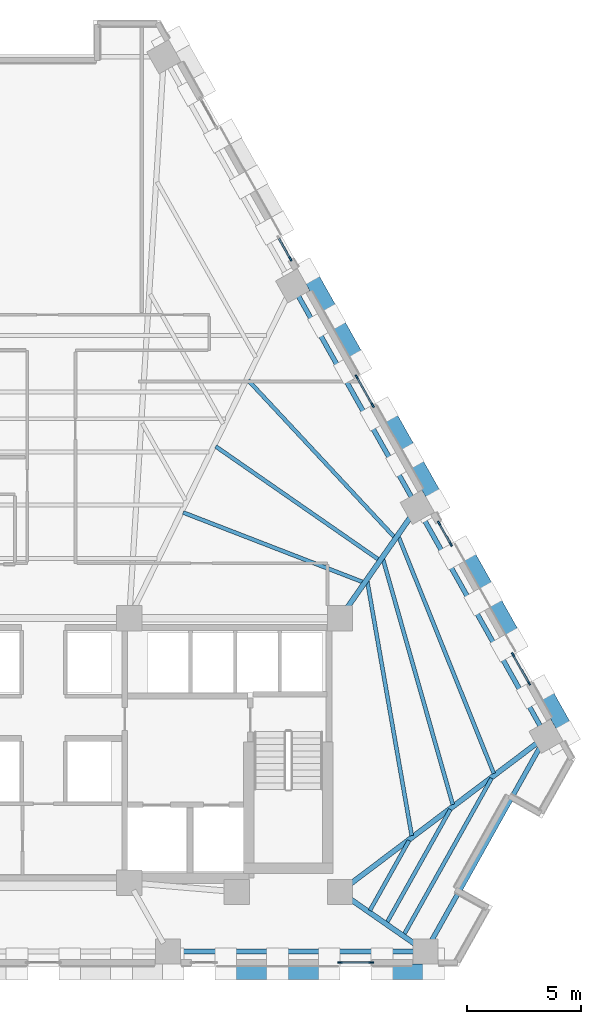
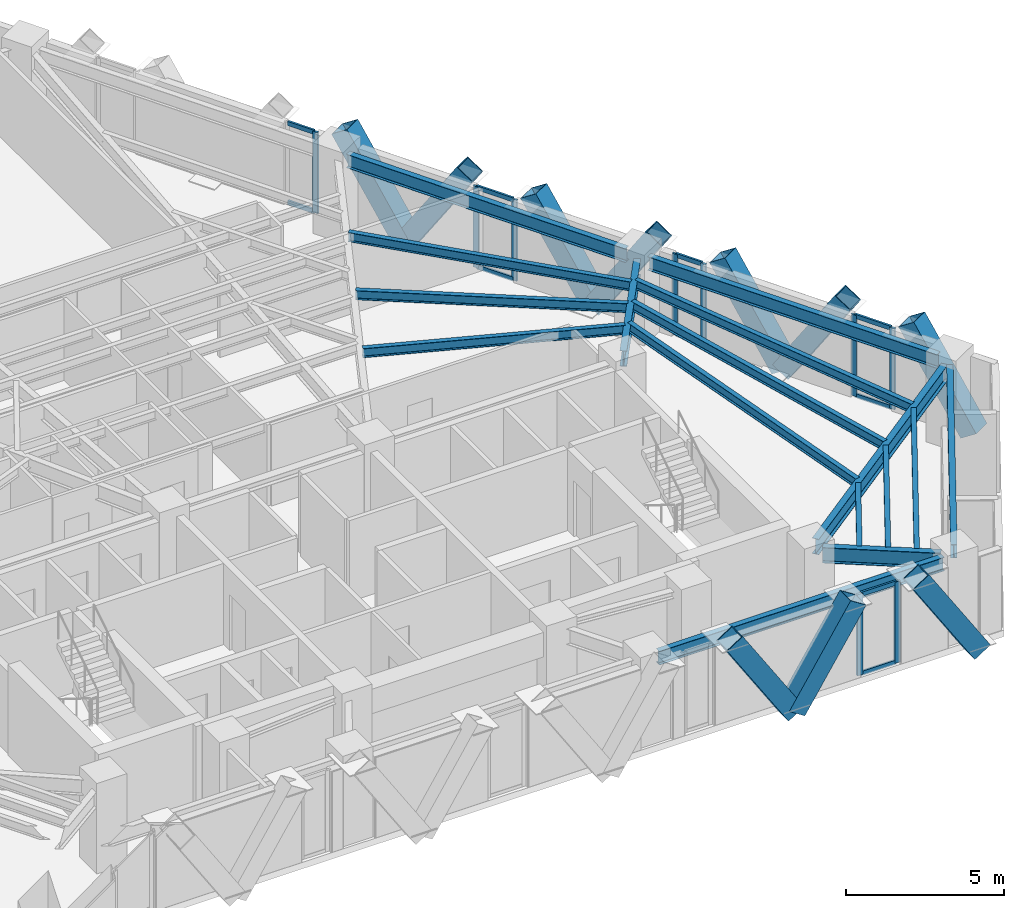
# One storey, part 4 of 13: 29 members, 16 beams, 5 elements without a shape of their own.
"""IFC4 building model written with IfcOpenShell, lengths in metres."""

from ifc_helpers import new_model, si_unit, direction, frame, origin, origin_2d, place, context, subcontext, project, spatial, rectangle, hollow_rectangle, i_section, extrude, material, material_profile, profile_set, type_object, element, aggregate, save


model = new_model("IFC4")

# Units and contexts
model_context = context("Model", 3, precision=1e-05, world=origin(), true_north=direction((0.0, 1.0)))
body_context = subcontext(model_context, "Body", "Model", "MODEL_VIEW")
ifc_project = project(units=[si_unit("LENGTHUNIT", "METRE"), si_unit("AREAUNIT", "SQUARE_METRE"), si_unit("VOLUMEUNIT", "CUBIC_METRE"), si_unit("PLANEANGLEUNIT", "RADIAN"), si_unit("MASSUNIT", "GRAM", prefix="KILO")], contexts=[model_context])

# Site, building, storey
site_placement = place(None, origin())
site = spatial("IfcSite", under=ifc_project, at=site_placement, CompositionType="ELEMENT")
building_placement = place(site_placement, origin())
building = spatial("IfcBuilding", under=site, at=building_placement, Name="Quenlor Broadcast Tower", CompositionType="ELEMENT")
storey_placement = place(building_placement, frame((0.0, 0.0, 87.10009765625)))
storey = spatial("IfcBuildingStorey", under=building, at=storey_placement, Name="L23", CompositionType="ELEMENT", Elevation=87.10009765625)

# Curtain wall, members
ifc_material_1 = material(Name="Architectural Terracotta and Low-E Glazing", Category="masonry")
curtain_wall_type = type_object("IfcCurtainWallType", Name="Unitised Terracotta Curtain Wall System Z2", PredefinedType="NOTDEFINED", material=ifc_material_1)
curtain_wall_1_placement = place(storey_placement, origin())
curtain_wall_1 = element("IfcCurtainWall", 1, at=curtain_wall_1_placement, inside=storey, type_object=curtain_wall_type, Name="L23 Curtain Wall CW2 (L23-SA-G1)", PredefinedType="NOTDEFINED")
ifc_material_2 = material(Name="Aluminium 6063-T6", Category="aluminium")
ifc_material_profile_1 = material_profile(ifc_material_2, rectangle(XDim=0.074951171875, YDim=0.199951171875, at=origin_2d()))
ifc_profile_set_1 = profile_set([ifc_material_profile_1], Name="Aluminium 6063-T6 MULL75x200")
member_type_1 = type_object("IfcMemberType", Name="CW2 Aluminium Mullion MULL_CW2", PredefinedType="MULLION", material=ifc_profile_set_1)
member_1_placement = place(storey_placement, frame((14.3193359375, -19.840087890625, 0.0), z_axis=(0.0, 0.0, 1.0), x_axis=(0.0, -1.0, 0.0)))
member_1 = element("IfcMember", 2, at=member_1_placement, type_object=member_type_1, Name="CW2 mullion 1", PredefinedType="MULLION", context=body_context, shape_type="SweptSolid", body=[
    extrude(rectangle(XDim=0.074951171875, YDim=0.199951171875, at=origin_2d()), origin(), (0.0, 0.0, 1.0), 3.139892578125),
])
member_2_placement = place(storey_placement, frame((12.950927734375, -19.840087890625, 0.0), z_axis=(0.0, 0.0, 1.0), x_axis=(0.0, -1.0, 0.0)))
member_2 = element("IfcMember", 3, at=member_2_placement, type_object=member_type_1, Name="CW2 mullion 2", PredefinedType="MULLION", context=body_context, shape_type="SweptSolid", body=[
    extrude(rectangle(XDim=0.074951171875, YDim=0.199951171875, at=origin_2d()), origin(), (0.0, 0.0, 1.0), 3.139892578125),
])

# Curtain wall, member
curtain_wall_2_placement = place(storey_placement, origin())
curtain_wall_2 = element("IfcCurtainWall", 4, at=curtain_wall_2_placement, inside=storey, type_object=curtain_wall_type, Name="L23 Curtain Wall CW2 (L23-NEA-G2)", PredefinedType="NOTDEFINED")
member_3_placement = place(storey_placement, frame((10.7880859375, 10.894775390625, 0.0), z_axis=(0.0, 0.0, 1.0), x_axis=(0.8715826837, 0.490248534392, 0.0)))
member_3 = element("IfcMember", 5, at=member_3_placement, type_object=member_type_1, Name="CW2 mullion 2", PredefinedType="MULLION", context=body_context, shape_type="SweptSolid", body=[
    extrude(rectangle(XDim=0.074951171875, YDim=0.199951171875, at=origin_2d()), origin(), (0.0, 0.0, 1.0), 3.139892578125),
])

# Curtain wall, members
curtain_wall_3_placement = place(storey_placement, origin())
curtain_wall_3 = element("IfcCurtainWall", 6, at=curtain_wall_3_placement, inside=storey, type_object=curtain_wall_type, Name="L23 Curtain Wall CW2 (L23-NEC-G1)", PredefinedType="NOTDEFINED")
member_4_placement = place(storey_placement, frame((17.282958984375, -0.651611328125, 0.0), z_axis=(0.0, 0.0, 1.0), x_axis=(0.8715826837, 0.490248534392, 0.0)))
member_4 = element("IfcMember", 7, at=member_4_placement, type_object=member_type_1, Name="CW2 mullion 1", PredefinedType="MULLION", context=body_context, shape_type="SweptSolid", body=[
    extrude(rectangle(XDim=0.074951171875, YDim=0.199951171875, at=origin_2d()), origin(), (0.0, 0.0, 1.0), 3.139892578125),
])
member_5_placement = place(storey_placement, frame((17.795654296875, -1.563232421875, 0.0), z_axis=(0.0, 0.0, 1.0), x_axis=(0.8715826837, 0.490248534392, 0.0)))
member_5 = element("IfcMember", 8, at=member_5_placement, type_object=member_type_1, Name="CW2 mullion 2", PredefinedType="MULLION", context=body_context, shape_type="SweptSolid", body=[
    extrude(rectangle(XDim=0.074951171875, YDim=0.199951171875, at=origin_2d()), origin(), (0.0, 0.0, 1.0), 3.139892578125),
])

curtain_wall_4_placement = place(storey_placement, origin())
curtain_wall_4 = element("IfcCurtainWall", 9, at=curtain_wall_4_placement, inside=storey, type_object=curtain_wall_type, Name="L23 Curtain Wall CW2 (L23-NEC-G2)", PredefinedType="NOTDEFINED")
member_6_placement = place(storey_placement, frame((20.514404296875, -6.396484375, 0.0), z_axis=(0.0, 0.0, 1.0), x_axis=(0.871586281699, 0.490242137678, 0.0)))
member_6 = element("IfcMember", 10, at=member_6_placement, type_object=member_type_1, Name="CW2 mullion 1", PredefinedType="MULLION", context=body_context, shape_type="SweptSolid", body=[
    extrude(rectangle(XDim=0.074951171875, YDim=0.199951171875, at=origin_2d()), origin(), (0.0, 0.0, 1.0), 3.139892578125),
])
member_7_placement = place(storey_placement, frame((21.208740234375, -7.631103515625, 0.0), z_axis=(0.0, 0.0, 1.0), x_axis=(0.871586281699, 0.490242137678, 0.0)))
member_7 = element("IfcMember", 11, at=member_7_placement, type_object=member_type_1, Name="CW2 mullion 2", PredefinedType="MULLION", context=body_context, shape_type="SweptSolid", body=[
    extrude(rectangle(XDim=0.074951171875, YDim=0.199951171875, at=origin_2d()), origin(), (0.0, 0.0, 1.0), 3.139892578125),
])

curtain_wall_5_placement = place(storey_placement, origin())
curtain_wall_5 = element("IfcCurtainWall", 12, at=curtain_wall_5_placement, inside=storey, type_object=curtain_wall_type, Name="L23 Curtain Wall CW2 (L23-NE-G1)", PredefinedType="NOTDEFINED")
member_8_placement = place(storey_placement, frame((13.688232421875, 5.73876953125, 0.0), z_axis=(0.0, 0.0, 1.0), x_axis=(0.871557629154, 0.490293074665, 0.0)))
member_8 = element("IfcMember", 13, at=member_8_placement, type_object=member_type_1, Name="CW2 mullion 1", PredefinedType="MULLION", context=body_context, shape_type="SweptSolid", body=[
    extrude(rectangle(XDim=0.074951171875, YDim=0.199951171875, at=origin_2d()), origin(), (0.0, 0.0, 1.0), 3.139892578125),
])
member_9_placement = place(storey_placement, frame((14.3828125, 4.50439453125, 0.0), z_axis=(0.0, 0.0, 1.0), x_axis=(0.871557629154, 0.490293074665, 0.0)))
member_9 = element("IfcMember", 14, at=member_9_placement, type_object=member_type_1, Name="CW2 mullion 2", PredefinedType="MULLION", context=body_context, shape_type="SweptSolid", body=[
    extrude(rectangle(XDim=0.074951171875, YDim=0.199951171875, at=origin_2d()), origin(), (0.0, 0.0, 1.0), 3.139892578125),
])

# Member
ifc_material_3 = material(Name="Aluminium 6063-T6", Category="aluminium")
ifc_material_profile_2 = material_profile(ifc_material_3, rectangle(XDim=0.074951171875, YDim=0.1650390625, at=origin_2d()))
ifc_profile_set_2 = profile_set([ifc_material_profile_2], Name="Aluminium 6063-T6 TRAN75x165")
member_type_2 = type_object("IfcMemberType", Name="CW2 Aluminium Transom TRAN_CW2", PredefinedType="USERDEFINED", material=ifc_profile_set_2)
member_10_placement = place(storey_placement, frame((14.281982421875, -19.840087890625, 0.037353515625), z_axis=(-1.0, 0.0, 0.0), x_axis=(0.0, -1.0, 0.0)))
member_10 = element("IfcMember", 15, at=member_10_placement, type_object=member_type_2, Name="CW2 transom 1.1", ObjectType="TRANSOM", PredefinedType="USERDEFINED", context=body_context, shape_type="SweptSolid", body=[
    extrude(rectangle(XDim=0.074951171875, YDim=0.1650390625, at=origin_2d()), origin(), (0.0, 0.0, 1.0), 1.29345703125),
])

member_11_placement = place(storey_placement, frame((14.281982421875, -19.840087890625, 3.102294921875), z_axis=(-1.0, 0.0, 0.0), x_axis=(0.0, -1.0, 0.0)))
member_11 = element("IfcMember", 16, at=member_11_placement, type_object=member_type_2, Name="CW2 transom 1.2", ObjectType="TRANSOM", PredefinedType="USERDEFINED", context=body_context, shape_type="SweptSolid", body=[
    extrude(rectangle(XDim=0.074951171875, YDim=0.1650390625, at=origin_2d()), origin(), (0.0, 0.0, 1.0), 1.29345703125),
])

aggregate(curtain_wall_1, [member_1, member_2, member_10, member_11])

member_12_placement = place(storey_placement, frame((10.293701171875, 11.77392578125, 0.037353515625), z_axis=(0.490225431837, -0.871595678041, 0.0), x_axis=(0.871595678041, 0.490225431837, 0.0)))
member_12 = element("IfcMember", 17, at=member_12_placement, type_object=member_type_2, Name="CW2 transom 1.1", ObjectType="TRANSOM", PredefinedType="USERDEFINED", context=body_context, shape_type="SweptSolid", body=[
    extrude(rectangle(XDim=0.074951171875, YDim=0.1650390625, at=origin_2d()), origin(), (0.0, 0.0, 1.0), 0.97119140625),
])

member_13_placement = place(storey_placement, frame((10.293701171875, 11.77392578125, 3.102294921875), z_axis=(0.490225431837, -0.871595678041, 0.0), x_axis=(0.871595678041, 0.490225431837, 0.0)))
member_13 = element("IfcMember", 18, at=member_13_placement, type_object=member_type_2, Name="CW2 transom 1.2", ObjectType="TRANSOM", PredefinedType="USERDEFINED", context=body_context, shape_type="SweptSolid", body=[
    extrude(rectangle(XDim=0.074951171875, YDim=0.1650390625, at=origin_2d()), origin(), (0.0, 0.0, 1.0), 0.97119140625),
])

aggregate(curtain_wall_2, [member_3, member_12, member_13])

member_14_placement = place(storey_placement, frame((17.30126953125, -0.684326171875, 0.037353515625), z_axis=(0.490332868435, -0.871535242049, 0.0), x_axis=(0.871535242049, 0.490332868435, 0.0)))
member_14 = element("IfcMember", 19, at=member_14_placement, type_object=member_type_2, Name="CW2 transom 1.1", ObjectType="TRANSOM", PredefinedType="USERDEFINED", context=body_context, shape_type="SweptSolid", body=[
    extrude(rectangle(XDim=0.074951171875, YDim=0.1650390625, at=origin_2d()), origin(), (0.0, 0.0, 1.0), 0.970947265625),
])

member_15_placement = place(storey_placement, frame((17.30126953125, -0.684326171875, 3.102294921875), z_axis=(0.490332868435, -0.871535242049, 0.0), x_axis=(0.871535242049, 0.490332868435, 0.0)))
member_15 = element("IfcMember", 20, at=member_15_placement, type_object=member_type_2, Name="CW2 transom 1.2", ObjectType="TRANSOM", PredefinedType="USERDEFINED", context=body_context, shape_type="SweptSolid", body=[
    extrude(rectangle(XDim=0.074951171875, YDim=0.1650390625, at=origin_2d()), origin(), (0.0, 0.0, 1.0), 0.970947265625),
])

aggregate(curtain_wall_3, [member_4, member_5, member_14, member_15])

member_16_placement = place(storey_placement, frame((20.532958984375, -6.42919921875, 0.037353515625), z_axis=(0.490148897968, -0.871638719781, 0.0), x_axis=(0.871638719781, 0.490148897968, 0.0)))
member_16 = element("IfcMember", 21, at=member_16_placement, type_object=member_type_2, Name="CW2 transom 1.1", ObjectType="TRANSOM", PredefinedType="USERDEFINED", context=body_context, shape_type="SweptSolid", body=[
    extrude(rectangle(XDim=0.074951171875, YDim=0.1650390625, at=origin_2d()), origin(), (0.0, 0.0, 1.0), 1.34130859375),
])

member_17_placement = place(storey_placement, frame((20.532958984375, -6.42919921875, 3.102294921875), z_axis=(0.490148897968, -0.871638719781, 0.0), x_axis=(0.871638719781, 0.490148897968, 0.0)))
member_17 = element("IfcMember", 22, at=member_17_placement, type_object=member_type_2, Name="CW2 transom 1.2", ObjectType="TRANSOM", PredefinedType="USERDEFINED", context=body_context, shape_type="SweptSolid", body=[
    extrude(rectangle(XDim=0.074951171875, YDim=0.1650390625, at=origin_2d()), origin(), (0.0, 0.0, 1.0), 1.34130859375),
])

aggregate(curtain_wall_4, [member_6, member_7, member_16, member_17])

member_18_placement = place(storey_placement, frame((13.706787109375, 5.7060546875, 0.037353515625), z_axis=(0.49022666835, -0.871594982569, 0.0), x_axis=(0.871594982569, 0.49022666835, 0.0)))
member_18 = element("IfcMember", 23, at=member_18_placement, type_object=member_type_2, Name="CW2 transom 1.1", ObjectType="TRANSOM", PredefinedType="USERDEFINED", context=body_context, shape_type="SweptSolid", body=[
    extrude(rectangle(XDim=0.074951171875, YDim=0.1650390625, at=origin_2d()), origin(), (0.0, 0.0, 1.0), 1.341064453125),
])

member_19_placement = place(storey_placement, frame((13.706787109375, 5.7060546875, 3.102294921875), z_axis=(0.49022666835, -0.871594982569, 0.0), x_axis=(0.871594982569, 0.49022666835, 0.0)))
member_19 = element("IfcMember", 24, at=member_19_placement, type_object=member_type_2, Name="CW2 transom 1.2", ObjectType="TRANSOM", PredefinedType="USERDEFINED", context=body_context, shape_type="SweptSolid", body=[
    extrude(rectangle(XDim=0.074951171875, YDim=0.1650390625, at=origin_2d()), origin(), (0.0, 0.0, 1.0), 1.341064453125),
])

aggregate(curtain_wall_5, [member_8, member_9, member_18, member_19])

# Members
ifc_material_4 = material(Name="Steel S355", Category="steel")
ifc_material_profile_3 = material_profile(ifc_material_4, hollow_rectangle(XDim=0.679931640625, YDim=0.679931640625, WallThickness=0.030029296875, at=origin_2d()))
ifc_profile_set_3 = profile_set([ifc_material_profile_3], Name="Steel S355 RHS680x680x30")
member_type_3 = type_object("IfcMemberType", Name="Perimeter Diagonal Lattice Brace Z2 Steel S355 RHS680x30", PredefinedType="BRACE", material=ifc_profile_set_3)
for number, where, z_axis, x_axis, name in (
    (25, (17.030517578125, -20.235107421875, -0.1201171875), (-0.539968035679, 0.0, 0.841685523485), (0.0, -1.0, 0.0), "L23 Perimeter Diamond Lattice S-C1S"),
    (26, (10.239990234375, -20.235107421875, -0.1201171875), (0.539968035679, 0.0, 0.841685523485), (0.0, 1.0, 0.0), "L23 Perimeter Diamond Lattice S-C1B"),
    (27, (10.212890625, -20.235107421875, -0.1201171875), (-0.539968035679, 0.0, 0.841685523485), (0.0, -1.0, 0.0), "L23 Perimeter Diamond Lattice S-C2S"),
):
    element("IfcMember", number, at=place(storey_placement, frame(where, z_axis=z_axis, x_axis=x_axis)), inside=storey, type_object=member_type_3, Name=name, PredefinedType="BRACE", context=body_context, shape_type="SweptSolid", body=[
        extrude(hollow_rectangle(XDim=0.679931640625, YDim=0.679931640625, WallThickness=0.030029296875, at=origin_2d()), origin(), (0.0, 0.0, 1.0), 4.158203125),
    ])
member_20_placement = place(storey_placement, frame((12.66650390625, 8.361083984375, -0.1201171875), z_axis=(-0.268634887212, 0.477637964099, 0.83647909276), x_axis=(-0.871603971106, -0.490210686901, 0.0)))
element("IfcMember", 28, at=member_20_placement, inside=storey, type_object=member_type_3, Name="L23 Perimeter Diamond Lattice NE-C2B", PredefinedType="BRACE", context=body_context, shape_type="SweptSolid", body=[
    extrude(hollow_rectangle(XDim=0.679931640625, YDim=0.679931640625, WallThickness=0.030029296875, at=origin_2d()), origin(), (0.0, 0.0, 1.0), 4.184326171875),
])
for number, where, z_axis, x_axis, name in (
    (29, (12.68017578125, 8.3369140625, -0.1201171875), (0.268642373731, -0.477592925498, 0.83650240439), (0.871578380919, 0.490256183964, 0.0), "L23 Perimeter Diamond Lattice NE-C3S"),
    (30, (16.07958984375, 2.29345703125, -0.1201171875), (-0.268696511206, 0.477585438485, 0.836489290913), (-0.871532878923, -0.490337068716, 0.0), "L23 Perimeter Diamond Lattice NE-C3B"),
    (31, (16.093017578125, 2.269287109375, -0.1201171875), (0.268696511206, -0.477585438485, 0.836489290913), (0.871532878923, 0.490337068716, 0.0), "L23 Perimeter Diamond Lattice NE-C4S"),
    (32, (19.49267578125, -3.774169921875, -0.1201171875), (-0.268696511206, 0.477585438485, 0.836489290913), (-0.871532878923, -0.490337068716, 0.0), "L23 Perimeter Diamond Lattice NE-C4B"),
    (33, (19.506103515625, -3.79833984375, -0.1201171875), (0.268696511206, -0.477585438485, 0.836489290913), (0.871532878923, 0.490337068716, 0.0), "L23 Perimeter Diamond Lattice NE-C5S"),
    (34, (22.90576171875, -9.841796875, -0.1201171875), (-0.268696511206, 0.477585438485, 0.836489290913), (-0.871532878923, -0.490337068716, 0.0), "L23 Perimeter Diamond Lattice NE-C5B"),
):
    element("IfcMember", number, at=place(storey_placement, frame(where, z_axis=z_axis, x_axis=x_axis)), inside=storey, type_object=member_type_3, Name=name, PredefinedType="BRACE", context=body_context, shape_type="SweptSolid", body=[
        extrude(hollow_rectangle(XDim=0.679931640625, YDim=0.679931640625, WallThickness=0.030029296875, at=origin_2d()), origin(), (0.0, 0.0, 1.0), 4.18408203125),
    ])

# Beams
ifc_material_5 = material(Name="Steel S355", Category="steel")
ifc_material_profile_4 = material_profile(ifc_material_5, i_section(OverallWidth=0.208984375, OverallDepth=0.5283203125, WebThickness=0.009521484375, FlangeThickness=0.01318359375, FilletRadius=0.013916015625, at=origin_2d()))
ifc_profile_set_4 = profile_set([ifc_material_profile_4], Name="Steel S355 530UB82.0")
beam_type_1 = type_object("IfcBeamType", Name="Perimeter Spandrel Beam Z2 Steel S355 530UB82.0", PredefinedType="SPANDREL", material=ifc_profile_set_4)
beam_1_placement = place(storey_placement, frame((5.853271484375, -19.35009765625, 2.875732421875), z_axis=(1.0, 0.0, 0.0), x_axis=(0.0, 1.0, 0.0)))
element("IfcBeam", 35, at=beam_1_placement, inside=storey, type_object=beam_type_1, Name="L23 Spandrel Beam S3-S4", PredefinedType="SPANDREL", context=body_context, shape_type="SweptSolid", body=[
    extrude(i_section(OverallWidth=0.208984375, OverallDepth=0.5283203125, WebThickness=0.009521484375, FlangeThickness=0.01318359375, FilletRadius=0.013916015625, at=origin_2d()), origin(), (0.0, 0.0, 1.0), 10.42919921875),
])
beam_2_placement = place(storey_placement, frame((16.892822265625, -18.9921875, 2.875732421875), z_axis=(0.488749102779, 0.872424389006, 0.0), x_axis=(-0.872424389006, 0.488749102779, 0.0)))
element("IfcBeam", 36, at=beam_2_placement, inside=storey, type_object=beam_type_1, Name="L23 Spandrel Beam S4-NE1", PredefinedType="SPANDREL", context=body_context, shape_type="SweptSolid", body=[
    extrude(i_section(OverallWidth=0.208984375, OverallDepth=0.5283203125, WebThickness=0.009521484375, FlangeThickness=0.01318359375, FilletRadius=0.013916015625, at=origin_2d()), origin(), (0.0, 0.0, 1.0), 9.947021484375),
])
beam_3_placement = place(storey_placement, frame((21.753662109375, -9.59912109375, 2.875732421875), z_axis=(-0.490263415828, 0.871574313011, 0.0), x_axis=(-0.871574313011, -0.490263415828, 0.0)))
element("IfcBeam", 37, at=beam_3_placement, inside=storey, type_object=beam_type_1, Name="L23 Spandrel Beam NE1-NE2", PredefinedType="SPANDREL", context=body_context, shape_type="SweptSolid", body=[
    extrude(i_section(OverallWidth=0.208984375, OverallDepth=0.5283203125, WebThickness=0.009521484375, FlangeThickness=0.01318359375, FilletRadius=0.013916015625, at=origin_2d()), origin(), (0.0, 0.0, 1.0), 10.65283203125),
])
beam_4_placement = place(storey_placement, frame((16.129150390625, 0.400146484375, 2.875732421875), z_axis=(-0.49026462139, 0.871573634878, 0.0), x_axis=(-0.871573634878, -0.49026462139, 0.0)))
element("IfcBeam", 38, at=beam_4_placement, inside=storey, type_object=beam_type_1, Name="L23 Spandrel Beam NE2-NE3", PredefinedType="SPANDREL", context=body_context, shape_type="SweptSolid", body=[
    extrude(i_section(OverallWidth=0.208984375, OverallDepth=0.5283203125, WebThickness=0.009521484375, FlangeThickness=0.01318359375, FilletRadius=0.013916015625, at=origin_2d()), origin(), (0.0, 0.0, 1.0), 10.28271484375),
])
ifc_material_6 = material(Name="Steel S355", Category="steel")
ifc_material_profile_5 = material_profile(ifc_material_6, i_section(OverallWidth=0.172119140625, OverallDepth=0.358642578125, WebThickness=0.008056640625, FlangeThickness=0.012939453125, FilletRadius=0.011474609375, at=origin_2d()))
ifc_profile_set_5 = profile_set([ifc_material_profile_5], Name="Steel S355 360UB56.7")
beam_type_2 = type_object("IfcBeamType", Name="Tower Composite Joist Z2-Z3 Steel S355 360UB56.7", PredefinedType="JOIST", material=ifc_profile_set_5)
beam_5_placement = place(storey_placement, frame((13.95703125, -3.221435546875, 2.960693359375), z_axis=(-0.932542579586, 0.361060018916, 0.0), x_axis=(-0.361060018916, -0.932542579586, 0.0)))
element("IfcBeam", 39, at=beam_5_placement, inside=storey, type_object=beam_type_2, Name="L23 Secondary Composite Joist 10", PredefinedType="JOIST", context=body_context, shape_type="SweptSolid", body=[
    extrude(i_section(OverallWidth=0.172119140625, OverallDepth=0.358642578125, WebThickness=0.008056640625, FlangeThickness=0.012939453125, FilletRadius=0.011474609375, at=origin_2d()), origin(), (0.0, 0.0, 1.0), 8.416259765625),
])
beam_6_placement = place(storey_placement, frame((14.641845703125, -2.236083984375, 2.960693359375), z_axis=(-0.821385737622, 0.570373097219, 0.0), x_axis=(-0.570373097219, -0.821385737622, 0.0)))
element("IfcBeam", 40, at=beam_6_placement, inside=storey, type_object=beam_type_2, Name="L23 Secondary Composite Joist 11", PredefinedType="JOIST", context=body_context, shape_type="SweptSolid", body=[
    extrude(i_section(OverallWidth=0.172119140625, OverallDepth=0.358642578125, WebThickness=0.008056640625, FlangeThickness=0.012939453125, FilletRadius=0.011474609375, at=origin_2d()), origin(), (0.0, 0.0, 1.0), 8.662109375),
])
beam_7_placement = place(storey_placement, frame((15.3291015625, -1.254638671875, 2.960693359375), z_axis=(-0.681880655944, 0.73146344478, 0.0), x_axis=(-0.73146344478, -0.681880655944, 0.0)))
element("IfcBeam", 41, at=beam_7_placement, inside=storey, type_object=beam_type_2, Name="L23 Secondary Composite Joist 12", PredefinedType="JOIST", context=body_context, shape_type="SweptSolid", body=[
    extrude(i_section(OverallWidth=0.172119140625, OverallDepth=0.358642578125, WebThickness=0.008056640625, FlangeThickness=0.012939453125, FilletRadius=0.011474609375, at=origin_2d()), origin(), (0.0, 0.0, 1.0), 9.365234375),
])
beam_8_placement = place(storey_placement, frame((16.087890625, -14.29345703125, 2.960693359375), z_axis=(-0.172120396521, 0.985075920476, 0.0), x_axis=(-0.985075920476, -0.172120396521, 0.0)))
element("IfcBeam", 42, at=beam_8_placement, inside=storey, type_object=beam_type_2, Name="L23 Secondary Composite Joist 16", PredefinedType="JOIST", context=body_context, shape_type="SweptSolid", body=[
    extrude(i_section(OverallWidth=0.172119140625, OverallDepth=0.358642578125, WebThickness=0.008056640625, FlangeThickness=0.012939453125, FilletRadius=0.011474609375, at=origin_2d()), origin(), (0.0, 0.0, 1.0), 11.27783203125),
])
beam_9_placement = place(storey_placement, frame((17.880615234375, -12.9365234375, 2.960693359375), z_axis=(-0.273563993601, 0.96185380459, 0.0), x_axis=(-0.96185380459, -0.273563993601, 0.0)))
element("IfcBeam", 43, at=beam_9_placement, inside=storey, type_object=beam_type_2, Name="L23 Secondary Composite Joist 17", PredefinedType="JOIST", context=body_context, shape_type="SweptSolid", body=[
    extrude(i_section(OverallWidth=0.172119140625, OverallDepth=0.358642578125, WebThickness=0.008056640625, FlangeThickness=0.012939453125, FilletRadius=0.011474609375, at=origin_2d()), origin(), (0.0, 0.0, 1.0), 11.1484375),
])
beam_10_placement = place(storey_placement, frame((19.673583984375, -11.580810546875, 2.960693359375), z_axis=(-0.373180395983, 0.92775880058, 0.0), x_axis=(-0.92775880058, -0.373180395983, 0.0)))
element("IfcBeam", 44, at=beam_10_placement, inside=storey, type_object=beam_type_2, Name="L23 Secondary Composite Joist 18", PredefinedType="JOIST", context=body_context, shape_type="SweptSolid", body=[
    extrude(i_section(OverallWidth=0.172119140625, OverallDepth=0.358642578125, WebThickness=0.008056640625, FlangeThickness=0.012939453125, FilletRadius=0.011474609375, at=origin_2d()), origin(), (0.0, 0.0, 1.0), 11.143798828125),
])
beam_11_placement = place(storey_placement, frame((14.261474609375, -17.564208984375, 2.960693359375), z_axis=(0.488730779643, 0.87243465373, 0.0), x_axis=(-0.87243465373, 0.488730779643, 0.0)))
element("IfcBeam", 45, at=beam_11_placement, inside=storey, type_object=beam_type_2, Name="L23 Secondary Composite Joist 22", PredefinedType="JOIST", context=body_context, shape_type="SweptSolid", body=[
    extrude(i_section(OverallWidth=0.172119140625, OverallDepth=0.358642578125, WebThickness=0.008056640625, FlangeThickness=0.012939453125, FilletRadius=0.011474609375, at=origin_2d()), origin(), (0.0, 0.0, 1.0), 3.500732421875),
])
beam_12_placement = place(storey_placement, frame((15.010009765625, -18.084228515625, 2.960693359375), z_axis=(0.488741419435, 0.87242869332, 0.0), x_axis=(-0.87242869332, 0.488741419435, 0.0)))
element("IfcBeam", 46, at=beam_12_placement, inside=storey, type_object=beam_type_2, Name="L23 Secondary Composite Joist 23", PredefinedType="JOIST", context=body_context, shape_type="SweptSolid", body=[
    extrude(i_section(OverallWidth=0.172119140625, OverallDepth=0.358642578125, WebThickness=0.008056640625, FlangeThickness=0.012939453125, FilletRadius=0.011474609375, at=origin_2d()), origin(), (0.0, 0.0, 1.0), 5.654052734375),
])
beam_13_placement = place(storey_placement, frame((15.758544921875, -18.604248046875, 2.960693359375), z_axis=(0.488732857155, 0.872433489922, 0.0), x_axis=(-0.872433489922, 0.488732857155, 0.0)))
element("IfcBeam", 47, at=beam_13_placement, inside=storey, type_object=beam_type_2, Name="L23 Secondary Composite Joist 24", PredefinedType="JOIST", context=body_context, shape_type="SweptSolid", body=[
    extrude(i_section(OverallWidth=0.172119140625, OverallDepth=0.358642578125, WebThickness=0.008056640625, FlangeThickness=0.012939453125, FilletRadius=0.011474609375, at=origin_2d()), origin(), (0.0, 0.0, 1.0), 7.807861328125),
])
ifc_material_7 = material(Name="Steel S355", Category="steel")
ifc_material_profile_6 = material_profile(ifc_material_7, i_section(OverallWidth=0.22802734375, OverallDepth=0.60205078125, WebThickness=0.010498046875, FlangeThickness=0.014892578125, FilletRadius=0.013916015625, at=origin_2d()))
ifc_profile_set_6 = profile_set([ifc_material_profile_6], Name="Steel S355 610UB101")
beam_type_3 = type_object("IfcBeamType", Name="Tower Primary Floor Beam Z2 Steel S355 610UB101", PredefinedType="BEAM", material=ifc_profile_set_6)
beam_14_placement = place(storey_placement, frame((16.355712890625, -19.1162109375, 2.8388671875), z_axis=(-0.821227395059, 0.570601056436, 0.0), x_axis=(-0.570601056436, -0.821227395059, 0.0)))
element("IfcBeam", 48, at=beam_14_placement, inside=storey, type_object=beam_type_3, Name="L23 Primary Radial Beam S4", PredefinedType="BEAM", context=body_context, shape_type="SweptSolid", body=[
    extrude(i_section(OverallWidth=0.22802734375, OverallDepth=0.60205078125, WebThickness=0.010498046875, FlangeThickness=0.014892578125, FilletRadius=0.013916015625, at=origin_2d()), origin(), (0.0, 0.0, 1.0), 3.766845703125),
])
beam_15_placement = place(storey_placement, frame((21.62744140625, -10.203369140625, 2.8388671875), z_axis=(-0.798298724007, -0.602261693327, 0.0), x_axis=(0.602261693327, -0.798298724007, 0.0)))
element("IfcBeam", 49, at=beam_15_placement, inside=storey, type_object=beam_type_3, Name="L23 Primary Radial Beam NE1", PredefinedType="BEAM", context=body_context, shape_type="SweptSolid", body=[
    extrude(i_section(OverallWidth=0.22802734375, OverallDepth=0.60205078125, WebThickness=0.010498046875, FlangeThickness=0.014892578125, FilletRadius=0.013916015625, at=origin_2d()), origin(), (0.0, 0.0, 1.0), 10.48974609375),
])
beam_16_placement = place(storey_placement, frame((16.095458984375, -0.293212890625, 2.8388671875), z_axis=(-0.572337599985, -0.820018092266, 0.0), x_axis=(0.820018092266, -0.572337599985, 0.0)))
element("IfcBeam", 50, at=beam_16_placement, inside=storey, type_object=beam_type_3, Name="L23 Primary Radial Beam NE2", PredefinedType="BEAM", context=body_context, shape_type="SweptSolid", body=[
    extrude(i_section(OverallWidth=0.22802734375, OverallDepth=0.60205078125, WebThickness=0.010498046875, FlangeThickness=0.014892578125, FilletRadius=0.013916015625, at=origin_2d()), origin(), (0.0, 0.0, 1.0), 5.11572265625),
])

save(model, "model.ifc")
